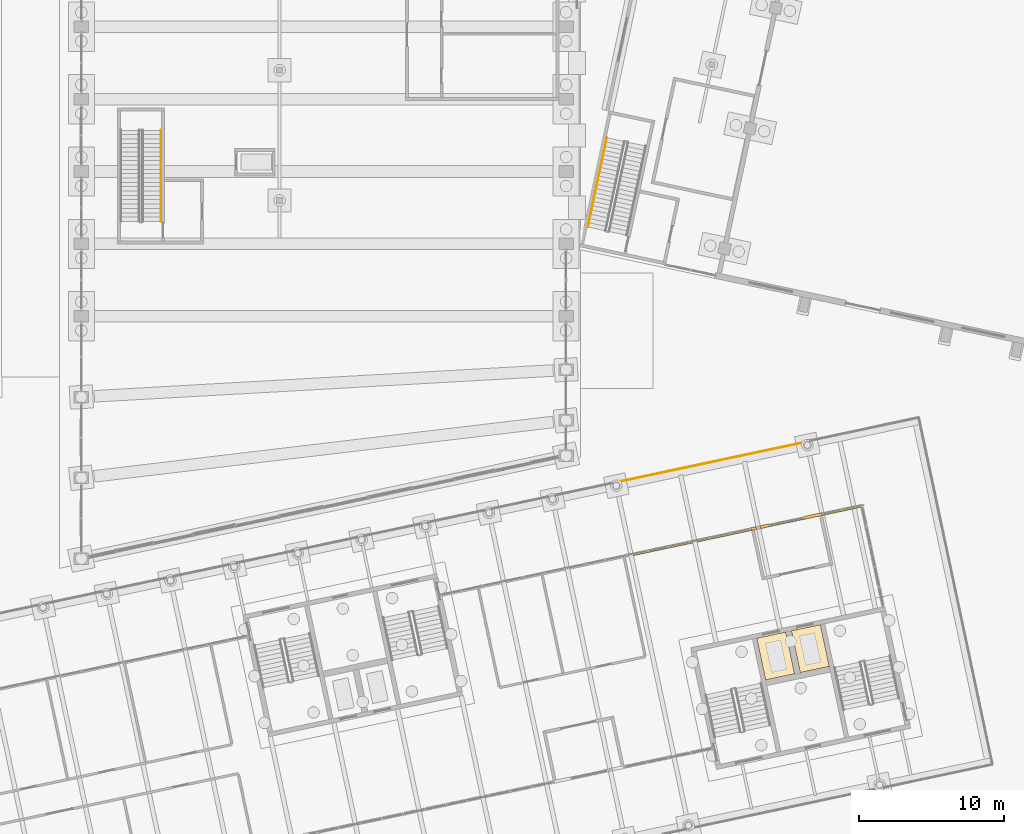
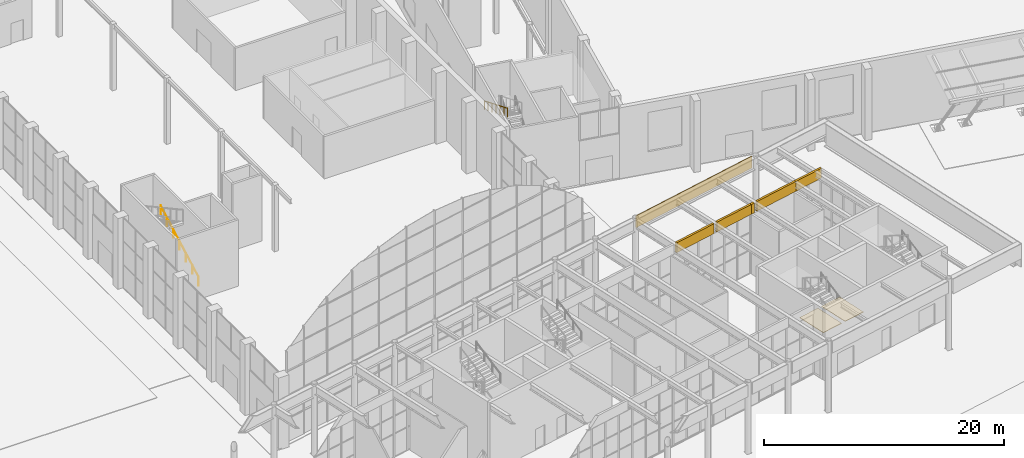
# One storey, part 222 of 239: 8 coverings, 2 railings.
"""IFC4 building model written with IfcOpenShell, lengths in metres."""

from ifc_helpers import new_model, si_unit, direction, frame, origin, origin_2d, place, context, subcontext, project, spatial, polyline, rectangle, circle, outline, extrude, material, layer, layer_set, type_object, element, save


model = new_model("IFC4")

# Units and contexts
model_context = context("Model", 3, precision=1e-05, world=origin(), true_north=direction((0.0, 1.0)))
body_context = subcontext(model_context, "Body", "Model", "MODEL_VIEW")
ifc_project = project(units=[si_unit("LENGTHUNIT", "METRE"), si_unit("AREAUNIT", "SQUARE_METRE"), si_unit("VOLUMEUNIT", "CUBIC_METRE"), si_unit("PLANEANGLEUNIT", "RADIAN"), si_unit("MASSUNIT", "GRAM", prefix="KILO")], contexts=[model_context])

# Site, building, storey
site_placement = place(None, origin())
site = spatial("IfcSite", under=ifc_project, at=site_placement, CompositionType="ELEMENT")
building_placement = place(site_placement, origin())
building = spatial("IfcBuilding", under=site, at=building_placement, Name="Okhra Congress Centre", CompositionType="ELEMENT")
storey_placement = place(building_placement, origin())
storey = spatial("IfcBuildingStorey", under=building, at=storey_placement, Name="L00", CompositionType="ELEMENT", Elevation=0.0)

# Coverings
ifc_material_1 = material(Name="Dark bronze anodised aluminium fascia panel", Category="aluminium")
ifc_layer_1 = layer(ifc_material_1, 0.06005859375)
ifc_layer_set_1 = layer_set([ifc_layer_1], Name="Dark bronze fascia strip 60")
covering_type_1 = type_object("IfcCoveringType", Name="Dark bronze fascia strip 60", PredefinedType="CLADDING", material=ifc_layer_set_1)
covering_1_placement = place(storey_placement, frame((199.02734375, 80.916748046875, 5.85009765625), z_axis=(0.0, 0.0, 1.0), x_axis=(0.978147600734, 0.207911690818, 0.0)))
element("IfcCovering", 1, at=covering_1_placement, inside=storey, type_object=covering_type_1, Name="Girder fascia strip", PredefinedType="CLADDING", context=body_context, shape_type="SweptSolid", body=[
    extrude(rectangle(XDim=12.991943359375, YDim=0.06005859375, at=origin_2d()), origin(), (0.0, 0.0, 1.0), 1.199951171875),
])
ifc_material_2 = material(Name="Insulated metal sandwich panel (mineral wool core)")
ifc_layer_2 = layer(ifc_material_2, 0.199951171875)
ifc_layer_set_2 = layer_set([ifc_layer_2], Name="Insulated fascia cladding panel 200")
covering_type_2 = type_object("IfcCoveringType", Name="Insulated fascia cladding panel 200", PredefinedType="CLADDING", material=ifc_layer_set_2)
covering_2_placement = place(storey_placement, frame((195.68701171875, 74.98779296875, 6.050048828125), z_axis=(0.0, 0.0, 1.0), x_axis=(0.978147600734, 0.207911690818, 0.0)))
element("IfcCovering", 2, at=covering_2_placement, inside=storey, type_object=covering_type_2, Name="Fascia over glazing", PredefinedType="CLADDING", context=body_context, shape_type="SweptSolid", body=[
    extrude(rectangle(XDim=4.199951171875, YDim=0.199951171875, at=origin_2d()), origin(), (0.0, 0.0, 1.0), 1.0),
])
covering_3_placement = place(storey_placement, frame((199.91748046875, 75.886962890625, 6.050048828125), z_axis=(0.0, 0.0, 1.0), x_axis=(0.978147600734, 0.207911690818, 0.0)))
element("IfcCovering", 3, at=covering_3_placement, inside=storey, type_object=covering_type_2, Name="Fascia over glazing", PredefinedType="CLADDING", context=body_context, shape_type="SweptSolid", body=[
    extrude(rectangle(XDim=3.85009765625, YDim=0.199951171875, at=origin_2d()), origin(), (0.0, 0.0, 1.0), 1.0),
])
covering_4_placement = place(storey_placement, frame((208.109619140625, 77.628173828125, 6.050048828125), z_axis=(0.0, 0.0, 1.0), x_axis=(0.978147600734, 0.207911690818, 0.0)))
element("IfcCovering", 4, at=covering_4_placement, inside=storey, type_object=covering_type_2, Name="Fascia over glazing", PredefinedType="CLADDING", context=body_context, shape_type="SweptSolid", body=[
    extrude(rectangle(XDim=2.89990234375, YDim=0.199951171875, at=origin_2d()), origin(), (0.0, 0.0, 1.0), 1.0),
])
covering_5_placement = place(storey_placement, frame((201.9716796875, 76.32373046875, 6.050048828125), z_axis=(0.0, 0.0, 1.0), x_axis=(0.978147600734, 0.207911690818, 0.0)))
element("IfcCovering", 5, at=covering_5_placement, inside=storey, type_object=covering_type_2, Name="Fascia over glazing", PredefinedType="CLADDING", context=body_context, shape_type="SweptSolid", body=[
    extrude(rectangle(XDim=0.35009765625, YDim=0.199951171875, at=origin_2d()), origin(), (0.0, 0.0, 1.0), 1.0),
])
covering_6_placement = place(storey_placement, frame((204.563720703125, 76.87451171875, 6.050048828125), z_axis=(0.0, 0.0, 1.0), x_axis=(0.978147600734, 0.207911690818, 0.0)))
element("IfcCovering", 6, at=covering_6_placement, inside=storey, type_object=covering_type_2, Name="Fascia over glazing", PredefinedType="CLADDING", context=body_context, shape_type="SweptSolid", body=[
    extrude(rectangle(XDim=4.35009765625, YDim=0.199951171875, at=origin_2d()), origin(), (0.0, 0.0, 1.0), 1.0),
])
ifc_material_3 = material(Name="Compacted engineered fill with topsoil and grass or paving bed")
ifc_layer_3 = layer(ifc_material_3, 0.050048828125)
ifc_layer_set_3 = layer_set([ifc_layer_3], Name="Site ground surface (engineered fill and landscape)")
covering_type_3 = type_object("IfcCoveringType", Name="Site ground surface (engineered fill and landscape)", PredefinedType="FLOORING", material=ifc_layer_set_3)
covering_7_placement = place(storey_placement, frame((0.0, 0.0, -0.10009765625)))
element("IfcCovering", 7, at=covering_7_placement, inside=storey, type_object=covering_type_3, Name="Site ground surface (engineered fill and landscape) 16", PredefinedType="FLOORING", context=body_context, shape_type="SweptSolid", body=[
    extrude(outline(polyline([(202.78955078125, 65.86572265625), (204.79345703125, 66.291748046875), (204.180419921875, 69.176025390625), (202.176513671875, 68.75), (202.78955078125, 65.86572265625)])), origin(), (0.0, 0.0, 1.0), 0.050048828125),
])
covering_8_placement = place(storey_placement, frame((0.0, 0.0, -0.10009765625)))
element("IfcCovering", 8, at=covering_8_placement, inside=storey, type_object=covering_type_3, Name="Site ground surface (engineered fill and landscape) 17", PredefinedType="FLOORING", context=body_context, shape_type="SweptSolid", body=[
    extrude(outline(polyline([(207.18994140625, 66.801025390625), (206.576904296875, 69.685302734375), (204.572998046875, 69.259521484375), (205.18603515625, 66.375), (207.18994140625, 66.801025390625)])), origin(), (0.0, 0.0, 1.0), 0.050048828125),
])

# Railings
ifc_material_4 = material(Name="Painted steel tube handrail on wall brackets", Category="steel")
railing_type = type_object("IfcRailingType", Name="Steel handrail 900", PredefinedType="HANDRAIL", material=ifc_material_4)
railing_1_placement = place(storey_placement, frame((161.0, 97.550048828125, 0.16357421875)))
element("IfcRailing", 9, at=railing_1_placement, inside=storey, type_object=railing_type, Name="L00 WG1 stair handrail 1", PredefinedType="HANDRAIL", context=body_context, shape_type="SweptSolid", body=[
    extrude(circle(Radius=0.02392578125, at=origin_2d()), frame((0.0, 0.0, 0.8759765625), z_axis=(0.0, 0.877887772019, 0.478866432046), x_axis=(-1.0, 0.0, 0.0)), (0.0, 0.0, 1.0), 7.17626953125),
    extrude(circle(Radius=0.02099609375, at=origin_2d()), origin(), (0.0, 0.0, 1.0), 0.851806640625),
    extrude(circle(Radius=0.02099609375, at=origin_2d()), frame((0.0, 1.050048828125, 0.57275390625)), (0.0, 0.0, 1.0), 0.851806640625),
    extrude(circle(Radius=0.02099609375, at=origin_2d()), frame((0.0, 2.10009765625, 1.1455078125)), (0.0, 0.0, 1.0), 0.851806640625),
    extrude(circle(Radius=0.02099609375, at=origin_2d()), frame((0.0, 3.14990234375, 1.71826171875)), (0.0, 0.0, 1.0), 0.851806640625),
    extrude(circle(Radius=0.02099609375, at=origin_2d()), frame((0.0, 4.199951171875, 2.291015625)), (0.0, 0.0, 1.0), 0.851806640625),
    extrude(circle(Radius=0.02099609375, at=origin_2d()), frame((0.0, 5.25, 2.86376953125)), (0.0, 0.0, 1.0), 0.851806640625),
    extrude(circle(Radius=0.02099609375, at=origin_2d()), frame((0.0, 6.300048828125, 3.4365234375)), (0.0, 0.0, 1.0), 0.851806640625),
])
railing_2_placement = place(storey_placement, frame((191.814208984375, 103.3330078125, 3.763671875)))
element("IfcRailing", 10, at=railing_2_placement, inside=storey, type_object=railing_type, Name="L00 BG1 stair handrail 2", PredefinedType="HANDRAIL", context=body_context, shape_type="SweptSolid", body=[
    extrude(circle(Radius=0.02392578125, at=origin_2d()), frame((0.0, 0.0, 0.8759765625), z_axis=(-0.182521330694, -0.85871778342, 0.478842074467), x_axis=(0.978148705425, -0.207906493586, 0.0)), (0.0, 0.0, 1.0), 7.17626953125),
    extrude(circle(Radius=0.02099609375, at=origin_2d()), origin(), (0.0, 0.0, 1.0), 0.851806640625),
    extrude(circle(Radius=0.02099609375, at=origin_2d()), frame((-0.21826171875, -1.027099609375, 0.57275390625)), (0.0, 0.0, 1.0), 0.851806640625),
    extrude(circle(Radius=0.02099609375, at=origin_2d()), frame((-0.4365234375, -2.05419921875, 1.1455078125)), (0.0, 0.0, 1.0), 0.851806640625),
    extrude(circle(Radius=0.02099609375, at=origin_2d()), frame((-0.65478515625, -3.0810546875, 1.71826171875)), (0.0, 0.0, 1.0), 0.851806640625),
    extrude(circle(Radius=0.02099609375, at=origin_2d()), frame((-0.873291015625, -4.108154296875, 2.290771484375)), (0.0, 0.0, 1.0), 0.851806640625),
    extrude(circle(Radius=0.02099609375, at=origin_2d()), frame((-1.091552734375, -5.13525390625, 2.863525390625)), (0.0, 0.0, 1.0), 0.851806640625),
    extrude(circle(Radius=0.02099609375, at=origin_2d()), frame((-1.309814453125, -6.162353515625, 3.436279296875)), (0.0, 0.0, 1.0), 0.851806640625),
])

save(model, "model.ifc")
